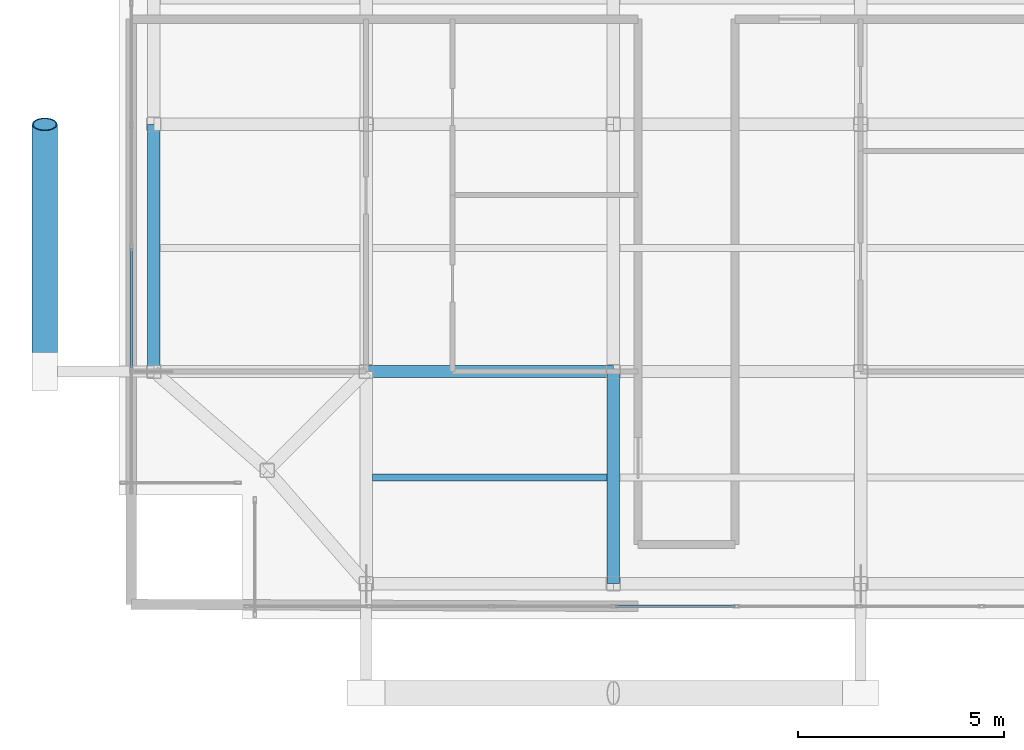
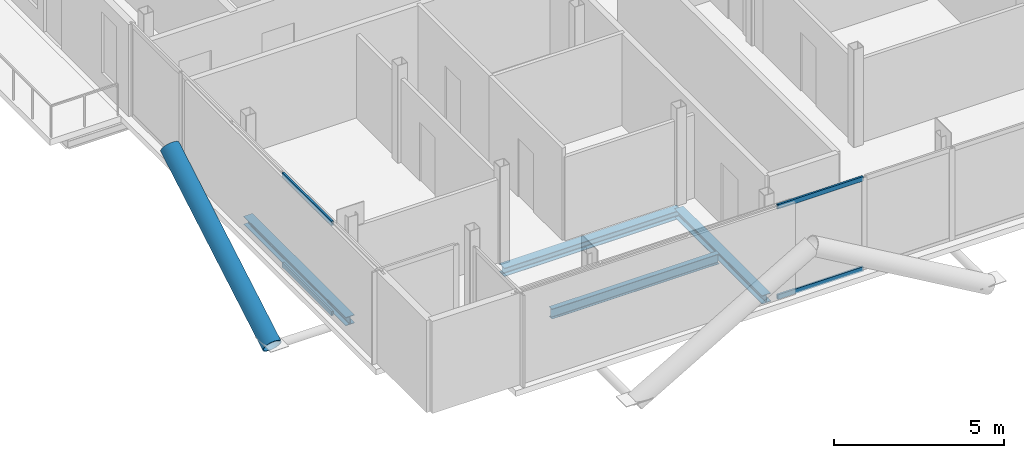
# One storey, part 3 of 19: 5 members, 4 beams, 2 elements without a shape of their own.
"""IFC4 building model written with IfcOpenShell, lengths in metres."""

from ifc_helpers import new_model, si_unit, direction, frame, origin, origin_2d, place, context, subcontext, project, spatial, hollow_rectangle, hollow_circle, i_section, extrude, material, layer, layer_set, material_profile, profile_set, type_object, element, aggregate, save


model = new_model("IFC4")

# Units and contexts
model_context = context("Model", 3, precision=1e-05, world=origin(), true_north=direction((0.0, 1.0)))
body_context = subcontext(model_context, "Body", "Model", "MODEL_VIEW")
ifc_project = project(units=[si_unit("LENGTHUNIT", "METRE"), si_unit("AREAUNIT", "SQUARE_METRE"), si_unit("VOLUMEUNIT", "CUBIC_METRE"), si_unit("PLANEANGLEUNIT", "RADIAN"), si_unit("MASSUNIT", "GRAM", prefix="KILO"), si_unit("THERMODYNAMICTEMPERATUREUNIT", "KELVIN"), si_unit("POWERUNIT", "WATT")], contexts=[model_context])

# Site, building, storey
site_placement = place(None, origin())
site = spatial("IfcSite", under=ifc_project, at=site_placement, CompositionType="ELEMENT")
building_placement = place(site_placement, origin())
building = spatial("IfcBuilding", under=site, at=building_placement, Name="Svarakhadi Broadcast Tower", CompositionType="ELEMENT")
storey_placement = place(building_placement, frame((0.0, 0.0, 243.199951171875)))
storey = spatial("IfcBuildingStorey", under=building, at=storey_placement, Name="L60", CompositionType="ELEMENT", Elevation=243.199951171875)

# Beam
ifc_material_1 = material(Name="Steel S355J2 (IS 2062 E350C)", Category="steel")
ifc_material_profile_1 = material_profile(ifc_material_1, i_section(OverallWidth=0.169921875, OverallDepth=0.360107421875, WebThickness=0.008056640625, FlangeThickness=0.0126953125, FilletRadius=0.01806640625, at=origin_2d()), Name="NPB 360x170x57")
ifc_profile_set_1 = profile_set([ifc_material_profile_1], Name="Steel S355J2 (IS 2062 E350C)")
beam_type_1 = type_object("IfcBeamType", Name="Beam_NPB360", PredefinedType="BEAM", material=ifc_profile_set_1)
beam_1_placement = place(storey_placement, frame((6.159912109375, 3.425048828125, -0.3798828125), z_axis=(1.0, 0.0, 0.0), x_axis=(0.0, 1.0, 0.0)))
element("IfcBeam", 1, at=beam_1_placement, inside=storey, type_object=beam_type_1, Name="L60 Secondary Composite Beam SB004", PredefinedType="BEAM", context=body_context, shape_type="SweptSolid", body=[
    extrude(i_section(OverallWidth=0.169921875, OverallDepth=0.360107421875, WebThickness=0.008056640625, FlangeThickness=0.0126953125, FilletRadius=0.01806640625, at=origin_2d()), origin(), (0.0, 0.0, 1.0), 5.68017578125),
])

# Curtain wall, members
ifc_material_2 = material(Name="Anodised Bronze Aluminium AA 6063-T6", Category="aluminium")
ifc_layer = layer(ifc_material_2, 0.179931640625)
ifc_layer_set = layer_set([ifc_layer], Name="Anodised Bronze Aluminium AA 6063-T6")
curtain_wall_type = type_object("IfcCurtainWallType", Name="CW_Sys_05", PredefinedType="NOTDEFINED", material=ifc_layer_set)
curtain_wall_1_placement = place(storey_placement, origin())
curtain_wall_1 = element("IfcCurtainWall", 2, at=curtain_wall_1_placement, inside=storey, type_object=curtain_wall_type, Name="L60 West Curtain Wall 02", PredefinedType="NOTDEFINED")
ifc_material_profile_2 = material_profile(ifc_material_2, hollow_rectangle(XDim=0.06494140625, YDim=0.1650390625, WallThickness=0.0048828125, at=origin_2d()), Name="ALU TRANSOM 165x65x5")
ifc_profile_set_2 = profile_set([ifc_material_profile_2], Name="Anodised Bronze Aluminium AA 6063-T6")
member_type_1 = type_object("IfcMemberType", Name="CW_Sys_05_Trn", PredefinedType="USERDEFINED", material=ifc_profile_set_2)
member_1_placement = place(storey_placement, frame((0.300048828125, 6.089111328125, 0.032470703125), z_axis=(0.0, 1.0, 0.0), x_axis=(-1.0, 0.0, 0.0)))
member_1 = element("IfcMember", 3, at=member_1_placement, type_object=member_type_1, Name="CW-05 transom 2.1", ObjectType="TRANSOM", PredefinedType="USERDEFINED", context=body_context, shape_type="SweptSolid", body=[
    extrude(hollow_rectangle(XDim=0.06494140625, YDim=0.1650390625, WallThickness=0.0048828125, at=origin_2d()), origin(), (0.0, 0.0, 1.0), 2.893798828125),
])
member_2_placement = place(storey_placement, frame((0.300048828125, 6.089111328125, 3.267578125), z_axis=(0.0, 1.0, 0.0), x_axis=(-1.0, 0.0, 0.0)))
member_2 = element("IfcMember", 4, at=member_2_placement, type_object=member_type_1, Name="CW-05 transom 2.2", ObjectType="TRANSOM", PredefinedType="USERDEFINED", context=body_context, shape_type="SweptSolid", body=[
    extrude(hollow_rectangle(XDim=0.06494140625, YDim=0.1650390625, WallThickness=0.0048828125, at=origin_2d()), origin(), (0.0, 0.0, 1.0), 2.893798828125),
])
aggregate(curtain_wall_1, [member_1, member_2])

curtain_wall_2_placement = place(storey_placement, origin())
curtain_wall_2 = element("IfcCurtainWall", 5, at=curtain_wall_2_placement, inside=storey, type_object=curtain_wall_type, Name="L60 South Curtain Wall 15", PredefinedType="NOTDEFINED")
member_3_placement = place(storey_placement, frame((14.9521484375, 0.300048828125, 0.032470703125), z_axis=(-1.0, 0.0, 0.0), x_axis=(0.0, -1.0, 0.0)))
member_3 = element("IfcMember", 6, at=member_3_placement, type_object=member_type_1, Name="CW-05 transom 4.1", ObjectType="TRANSOM", PredefinedType="USERDEFINED", context=body_context, shape_type="SweptSolid", body=[
    extrude(hollow_rectangle(XDim=0.06494140625, YDim=0.1650390625, WallThickness=0.0048828125, at=origin_2d()), origin(), (0.0, 0.0, 1.0), 2.904296875),
])
member_4_placement = place(storey_placement, frame((14.9521484375, 0.300048828125, 3.267578125), z_axis=(-1.0, 0.0, 0.0), x_axis=(0.0, -1.0, 0.0)))
member_4 = element("IfcMember", 7, at=member_4_placement, type_object=member_type_1, Name="CW-05 transom 4.2", ObjectType="TRANSOM", PredefinedType="USERDEFINED", context=body_context, shape_type="SweptSolid", body=[
    extrude(hollow_rectangle(XDim=0.06494140625, YDim=0.1650390625, WallThickness=0.0048828125, at=origin_2d()), origin(), (0.0, 0.0, 1.0), 2.904296875),
])
aggregate(curtain_wall_2, [member_3, member_4])

# Member
ifc_material_3 = material(Name="Steel S460ML (IS 2062 E450BR)", Category="steel")
ifc_material_profile_3 = material_profile(ifc_material_3, hollow_circle(Radius=0.304931640625, WallThickness=0.030029296875, at=origin_2d()), Name="CHS 610x30")
ifc_profile_set_3 = profile_set([ifc_material_profile_3], Name="Steel S460ML (IS 2062 E450BR)")
member_type_2 = type_object("IfcMemberType", Name="Exo_Brace_CHS610", PredefinedType="BRACE", material=ifc_profile_set_3)
member_5_placement = place(storey_placement, frame((-1.800048828125, 6.0, -0.33642578125), z_axis=(0.0, 0.863778900898, 0.503871025524), x_axis=(-1.0, 0.0, 0.0)))
element("IfcMember", 8, at=member_5_placement, inside=storey, type_object=member_type_2, Name="L60 Exposed Bronze Exoskeleton Diagonal W03", PredefinedType="BRACE", context=body_context, shape_type="SweptSolid", body=[
    extrude(hollow_circle(Radius=0.304931640625, WallThickness=0.030029296875, at=origin_2d()), origin(), (0.0, 0.0, 1.0), 6.9462890625),
])

# Beams
ifc_material_profile_4 = material_profile(ifc_material_1, i_section(OverallWidth=0.300048828125, OverallDepth=0.300048828125, WebThickness=0.010986328125, FlangeThickness=0.01904296875, FilletRadius=0.027099609375, at=origin_2d()), Name="WPB 300x300x117")
ifc_profile_set_4 = profile_set([ifc_material_profile_4], Name="Steel S355J2 (IS 2062 E350C)")
beam_type_2 = type_object("IfcBeamType", Name="Girder_WPB300", PredefinedType="USERDEFINED", material=ifc_profile_set_4)
for number, where, z_axis, x_axis, name in (
    (9, (6.0, 6.0, -0.349853515625), (1.0, 0.0, 0.0), (0.0, 1.0, 0.0), "L60 Primary E-W Girder G009"),
    (10, (0.85009765625, 6.0, -0.349853515625), (0.0, 1.0, 0.0), (-1.0, 0.0, 0.0), "L60 Primary N-S Girder G026"),
):
    element("IfcBeam", number, at=place(storey_placement, frame(where, z_axis=z_axis, x_axis=x_axis)), inside=storey, type_object=beam_type_2, Name=name, ObjectType="GIRDER", PredefinedType="USERDEFINED", context=body_context, shape_type="SweptSolid", body=[
        extrude(i_section(OverallWidth=0.300048828125, OverallDepth=0.300048828125, WebThickness=0.010986328125, FlangeThickness=0.01904296875, FilletRadius=0.027099609375, at=origin_2d()), origin(), (0.0, 0.0, 1.0), 6.0),
    ])
beam_2_placement = place(storey_placement, frame((12.0, 0.85009765625, -0.349853515625), z_axis=(0.0, 1.0, 0.0), x_axis=(-1.0, 0.0, 0.0)))
element("IfcBeam", 11, at=beam_2_placement, inside=storey, type_object=beam_type_2, Name="L60 Primary N-S Girder G033", ObjectType="GIRDER", PredefinedType="USERDEFINED", context=body_context, shape_type="SweptSolid", body=[
    extrude(i_section(OverallWidth=0.300048828125, OverallDepth=0.300048828125, WebThickness=0.010986328125, FlangeThickness=0.01904296875, FilletRadius=0.027099609375, at=origin_2d()), origin(), (0.0, 0.0, 1.0), 5.14990234375),
])

save(model, "model.ifc")
